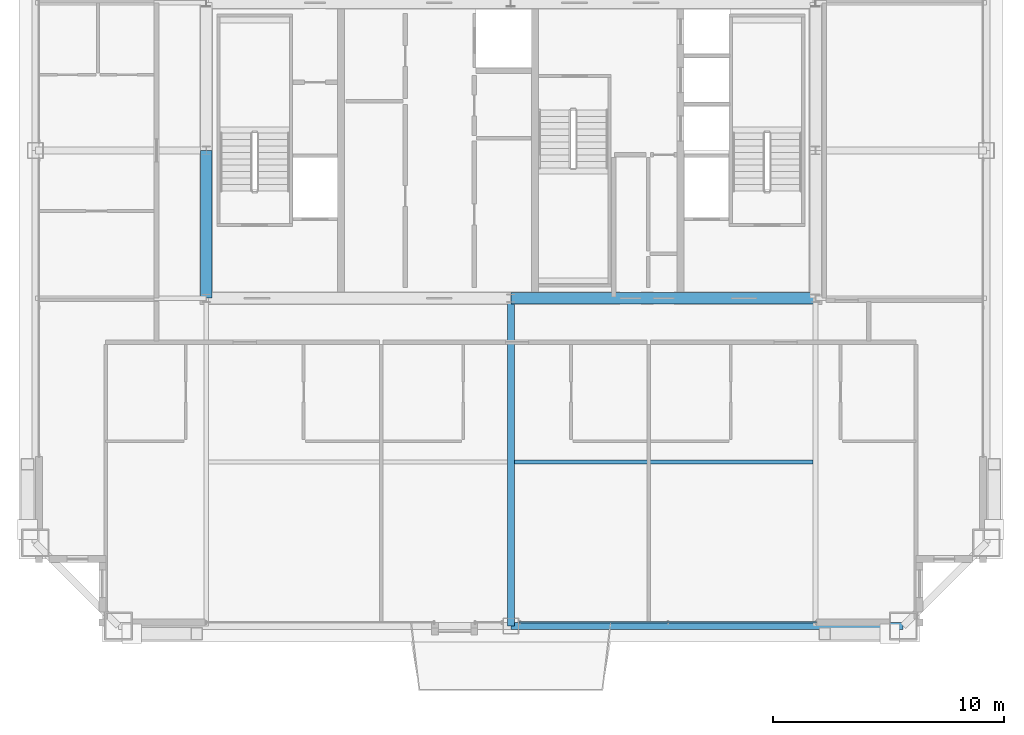
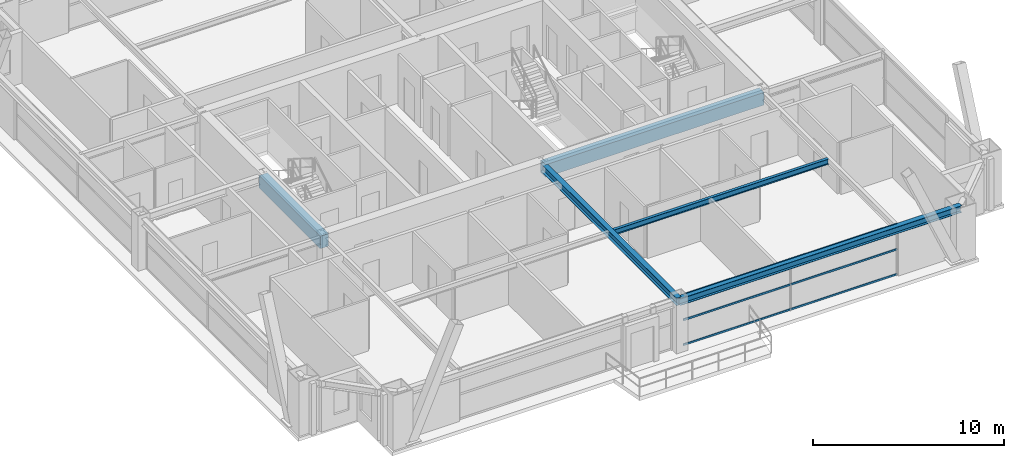
# One storey, part 11 of 35: 5 beams, 3 members, 1 element without a shape of its own.
"""IFC4 building model written with IfcOpenShell, lengths in metres."""

from ifc_helpers import new_model, si_unit, direction, frame, origin, origin_2d, place, context, subcontext, project, spatial, rectangle, hollow_rectangle, i_section, extrude, source, transform, mapped, material, layer, layer_set, material_profile, profile_set, type_object, element, aggregate, save


model = new_model("IFC4")

# Units and contexts
model_context = context("Model", 3, precision=1e-05, world=origin(), true_north=direction((0.0, 1.0)))
body_context = subcontext(model_context, "Body", "Model", "MODEL_VIEW")
ifc_project = project(units=[si_unit("LENGTHUNIT", "METRE"), si_unit("AREAUNIT", "SQUARE_METRE"), si_unit("VOLUMEUNIT", "CUBIC_METRE"), si_unit("PLANEANGLEUNIT", "RADIAN"), si_unit("MASSUNIT", "GRAM", prefix="KILO"), si_unit("THERMODYNAMICTEMPERATUREUNIT", "KELVIN"), si_unit("POWERUNIT", "WATT")], contexts=[model_context])

# Site, building, storey
site_placement = place(None, origin())
site = spatial("IfcSite", under=ifc_project, at=site_placement, CompositionType="ELEMENT")
building_placement = place(site_placement, origin())
building = spatial("IfcBuilding", under=site, at=building_placement, Name="Yuzanri Waterfront Tower", CompositionType="ELEMENT")
storey_placement = place(building_placement, frame((0.0, 0.0, 271.60009765625)))
storey = spatial("IfcBuildingStorey", under=building, at=storey_placement, Name="L72", CompositionType="ELEMENT", Elevation=271.60009765625)

# Beams
ifc_material_1 = material(Name="Concrete C50", Category="concrete")
ifc_material_profile_1 = material_profile(ifc_material_1, rectangle(XDim=0.5, YDim=0.800048828125, at=origin_2d()), Name="RC 500x800")
ifc_profile_set_1 = profile_set([ifc_material_profile_1], Name="Concrete C50")
beam_type_1 = type_object("IfcBeamType", Name="Core Coupling Lintel Concrete C50 500x800", PredefinedType="LINTEL", material=ifc_profile_set_1)
shared_shape_1 = source(origin(), body_context, "Body", "SweptSolid", [
    extrude(rectangle(XDim=0.5, YDim=0.800048828125, at=origin_2d()), origin(), (0.0, 0.0, 1.0), 13.199951171875),
])
beam_1_placement = place(storey_placement, frame((37.0, 19.39990234375, 2.8798828125), z_axis=(1.0, 0.0, 0.0), x_axis=(0.0, 1.0, 0.0)))
element("IfcBeam", 1, at=beam_1_placement, inside=storey, type_object=beam_type_1, Name="L72 Core Tie Beam CS2", PredefinedType="LINTEL", context=body_context, shape_type="MappedRepresentation", body=[
    mapped(shared_shape_1, transform((0.0, 0.0, 0.0), scale=1.0)),
])
shared_shape_2 = source(origin(), body_context, "Body", "SweptSolid", [
    extrude(rectangle(XDim=0.5, YDim=0.800048828125, at=origin_2d()), origin(), (0.0, 0.0, 1.0), 6.400146484375),
])
beam_2_placement = place(storey_placement, frame((23.800048828125, 19.39990234375, 2.8798828125), z_axis=(0.0, 1.0, 0.0), x_axis=(-1.0, 0.0, 0.0)))
element("IfcBeam", 2, at=beam_2_placement, inside=storey, type_object=beam_type_1, Name="L72 Core Tie Beam CW1", PredefinedType="LINTEL", context=body_context, shape_type="MappedRepresentation", body=[
    mapped(shared_shape_2, transform((0.0, 0.0, 0.0), scale=1.0)),
])
ifc_material_2 = material(Name="Steel Q355B", Category="steel")
ifc_material_profile_2 = material_profile(ifc_material_2, i_section(OverallWidth=0.300048828125, OverallDepth=0.43994140625, WebThickness=0.010986328125, FlangeThickness=0.01806640625, at=origin_2d()), Name="HM 440x300x11x18")
ifc_profile_set_2 = profile_set([ifc_material_profile_2], Name="Steel Q355B")
beam_type_2 = type_object("IfcBeamType", Name="Perimeter Spandrel Q355B HM 440x300", PredefinedType="SPANDREL", material=ifc_profile_set_2)
shared_shape_3 = source(origin(), body_context, "Body", "SweptSolid", [
    extrude(i_section(OverallWidth=0.300048828125, OverallDepth=0.43994140625, WebThickness=0.010986328125, FlangeThickness=0.01806640625, at=origin_2d()), origin(), (0.0, 0.0, 1.0), 17.0),
])
beam_3_placement = place(storey_placement, frame((37.0, 5.199951171875, 3.059814453125), z_axis=(1.0, 0.0, 0.0), x_axis=(0.0, 1.0, 0.0)))
element("IfcBeam", 3, at=beam_3_placement, inside=storey, type_object=beam_type_2, Name="L72 Perimeter Spandrel S2-S3", PredefinedType="SPANDREL", context=body_context, shape_type="MappedRepresentation", body=[
    mapped(shared_shape_3, transform((0.0, 0.0, 0.0), scale=1.0)),
])
ifc_material_3 = material(Name="Steel Q355B", Category="steel")
ifc_material_profile_3 = material_profile(ifc_material_3, i_section(OverallWidth=0.300048828125, OverallDepth=0.488037109375, WebThickness=0.010986328125, FlangeThickness=0.01806640625, at=origin_2d()), Name="HM 488x300x11x18")
ifc_profile_set_3 = profile_set([ifc_material_profile_3], Name="Steel Q355B")
beam_type_3 = type_object("IfcBeamType", Name="Primary Floor Girder Q355B HM 488x300", PredefinedType="BEAM", material=ifc_profile_set_3)
shared_shape_4 = source(origin(), body_context, "Body", "SweptSolid", [
    extrude(i_section(OverallWidth=0.300048828125, OverallDepth=0.488037109375, WebThickness=0.010986328125, FlangeThickness=0.01806640625, at=origin_2d()), origin(), (0.0, 0.0, 1.0), 14.199951171875),
])
beam_4_placement = place(storey_placement, frame((37.0, 19.39990234375, 3.035888671875), z_axis=(0.0, -1.0, 0.0), x_axis=(1.0, 0.0, 0.0)))
element("IfcBeam", 4, at=beam_4_placement, inside=storey, type_object=beam_type_3, Name="L72 South Grid Girder", PredefinedType="BEAM", context=body_context, shape_type="MappedRepresentation", body=[
    mapped(shared_shape_4, transform((0.0, 0.0, 0.0), scale=1.0)),
])
ifc_material_4 = material(Name="Steel Q355B", Category="steel")
ifc_material_profile_4 = material_profile(ifc_material_4, i_section(OverallWidth=0.175048828125, OverallDepth=0.35009765625, WebThickness=0.007080078125, FlangeThickness=0.010986328125, at=origin_2d()), Name="HN 350x175x7x11")
ifc_profile_set_4 = profile_set([ifc_material_profile_4], Name="Steel Q355B")
beam_type_4 = type_object("IfcBeamType", Name="Floor Joist Q355B HN 350x175", PredefinedType="JOIST", material=ifc_profile_set_4)
shared_shape_5 = source(origin(), body_context, "Body", "SweptSolid", [
    extrude(i_section(OverallWidth=0.175048828125, OverallDepth=0.35009765625, WebThickness=0.007080078125, FlangeThickness=0.010986328125, at=origin_2d()), origin(), (0.0, 0.0, 1.0), 12.9501953125),
])
beam_5_placement = place(storey_placement, frame((37.14990234375, 12.300048828125, 3.10498046875), z_axis=(1.0, 0.0, 0.0), x_axis=(0.0, 1.0, 0.0)))
element("IfcBeam", 5, at=beam_5_placement, inside=storey, type_object=beam_type_4, Name="L72 South Bay Joist E", PredefinedType="JOIST", context=body_context, shape_type="MappedRepresentation", body=[
    mapped(shared_shape_5, transform((0.0, 0.0, 0.0), scale=1.0)),
])

# Curtain wall, members
ifc_material_5 = material(Name="Anodized Architectural Bronze", Category="metal")
ifc_layer = layer(ifc_material_5, 0.159912109375)
ifc_layer_set = layer_set([ifc_layer], Name="Anodized Architectural Bronze")
curtain_wall_type = type_object("IfcCurtainWallType", Name="Anodized Bronze Mid-Rise Residential Acoustic Unitized Curtain Wall 7200", PredefinedType="NOTDEFINED", material=ifc_layer_set)
curtain_wall_placement = place(storey_placement, origin())
curtain_wall = element("IfcCurtainWall", 6, at=curtain_wall_placement, inside=storey, type_object=curtain_wall_type, Name="L72 Curtain Wall CW-L72-SR", PredefinedType="NOTDEFINED")
ifc_material_6 = material(Name="Anodized Architectural Bronze", Category="metal")
ifc_material_profile_5 = material_profile(ifc_material_6, hollow_rectangle(XDim=0.06494140625, YDim=0.1201171875, WallThickness=0.00341796875, at=origin_2d()), Name="CWT 65x120")
ifc_profile_set_5 = profile_set([ifc_material_profile_5], Name="Anodized Architectural Bronze")
member_type = type_object("IfcMemberType", Name="Anodized Bronze Secondary Curtain-Wall Transom 65x120", PredefinedType="USERDEFINED", material=ifc_profile_set_5)
shared_shape_6 = source(origin(), body_context, "Body", "SweptSolid", [
    extrude(hollow_rectangle(XDim=0.06494140625, YDim=0.1201171875, WallThickness=0.00341796875, at=origin_2d()), origin(), (0.0, 0.0, 1.0), 12.89990234375),
])
member_1_placement = place(storey_placement, frame((37.35009765625, 5.35009765625, 0.0498046875), z_axis=(1.0, 0.0, 0.0), x_axis=(0.0, 1.0, 0.0)))
member_1 = element("IfcMember", 7, at=member_1_placement, type_object=member_type, Name="CW-L72-SR Transom 1", ObjectType="TRANSOM", PredefinedType="USERDEFINED", context=body_context, shape_type="MappedRepresentation", body=[
    mapped(shared_shape_6, transform((0.0, 0.0, 0.0), scale=1.0)),
])
member_2_placement = place(storey_placement, frame((37.35009765625, 5.35009765625, 1.639892578125), z_axis=(1.0, 0.0, 0.0), x_axis=(0.0, 1.0, 0.0)))
member_2 = element("IfcMember", 8, at=member_2_placement, type_object=member_type, Name="CW-L72-SR Transom 2", ObjectType="TRANSOM", PredefinedType="USERDEFINED", context=body_context, shape_type="MappedRepresentation", body=[
    mapped(shared_shape_6, transform((0.0, 0.0, 0.0), scale=1.0)),
])
member_3_placement = place(storey_placement, frame((37.35009765625, 5.35009765625, 3.22998046875), z_axis=(1.0, 0.0, 0.0), x_axis=(0.0, 1.0, 0.0)))
member_3 = element("IfcMember", 9, at=member_3_placement, type_object=member_type, Name="CW-L72-SR Transom 3", ObjectType="TRANSOM", PredefinedType="USERDEFINED", context=body_context, shape_type="MappedRepresentation", body=[
    mapped(shared_shape_6, transform((0.0, 0.0, 0.0), scale=1.0)),
])
aggregate(curtain_wall, [member_1, member_2, member_3])

save(model, "model.ifc")
